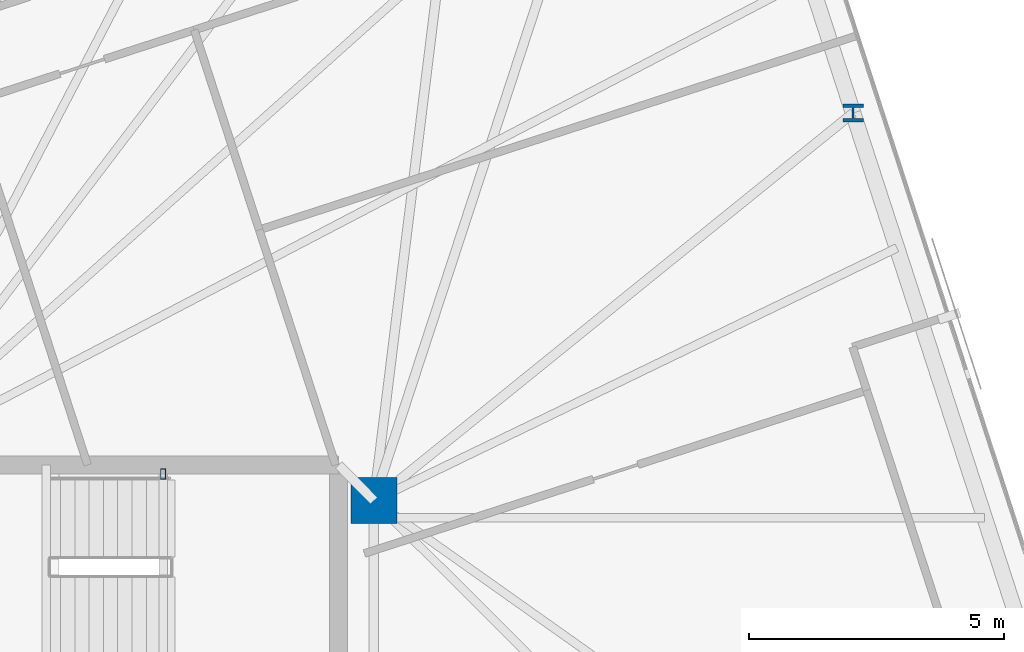
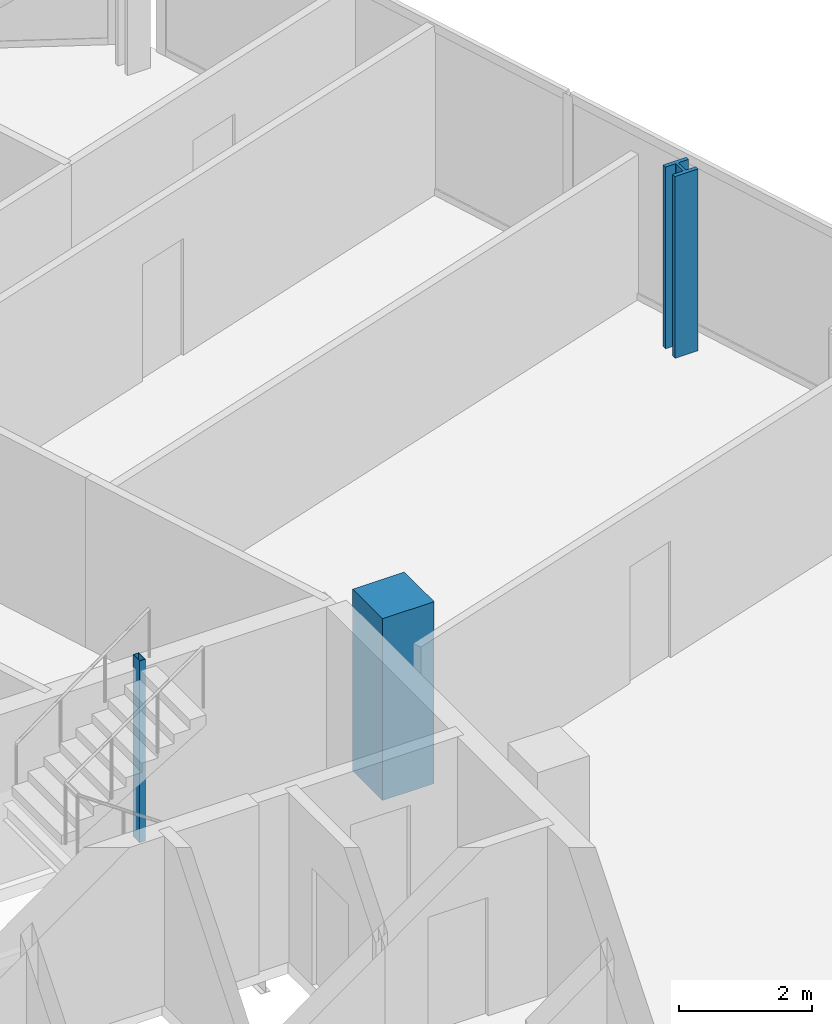
# One storey, part 3 of 20: 3 columns.
"""IFC4 building model written with IfcOpenShell, lengths in metres."""

from ifc_helpers import new_model, si_unit, direction, frame, origin, origin_2d, place, context, subcontext, project, spatial, rectangle, hollow_rectangle, i_section, extrude, material, material_profile, profile_set, type_object, element, save


model = new_model("IFC4")

# Units and contexts
model_context = context("Model", 3, precision=1e-05, world=origin(), true_north=direction((0.0, 1.0)))
body_context = subcontext(model_context, "Body", "Model", "MODEL_VIEW")
ifc_project = project(units=[si_unit("LENGTHUNIT", "METRE"), si_unit("AREAUNIT", "SQUARE_METRE"), si_unit("VOLUMEUNIT", "CUBIC_METRE"), si_unit("PLANEANGLEUNIT", "RADIAN"), si_unit("MASSUNIT", "GRAM", prefix="KILO")], contexts=[model_context])

# Site, building, storey
site_placement = place(None, origin())
site = spatial("IfcSite", under=ifc_project, at=site_placement, CompositionType="ELEMENT")
building_placement = place(site_placement, origin())
building = spatial("IfcBuilding", under=site, at=building_placement, Name="Menara Jurai Vektor", CompositionType="ELEMENT")
storey_placement = place(building_placement, frame((0.0, 0.0, 237.699951171875)))
storey = spatial("IfcBuildingStorey", under=building, at=storey_placement, Name="L63", CompositionType="ELEMENT", Elevation=237.699951171875)

# Columns
ifc_material_1 = material(Name="Concrete C50/60", Category="concrete")
ifc_material_profile_1 = material_profile(ifc_material_1, rectangle(XDim=0.89990234375, YDim=0.89990234375, at=origin_2d()), Name="RC 900x900")
ifc_profile_set_1 = profile_set([ifc_material_profile_1], Name="Concrete C50/60")
column_type_1 = type_object("IfcColumnType", Name="STR-COL-RC900", PredefinedType="COLUMN", material=ifc_profile_set_1)
column_1_placement = place(storey_placement, frame((15.25, 4.89990234375, 0.0), z_axis=(0.0, 0.0, 1.0), x_axis=(1.0, 0.0, 0.0)))
element("IfcColumn", 1, at=column_1_placement, inside=storey, type_object=column_type_1, Name="Core Spine Column CE-NE L63", PredefinedType="COLUMN", context=body_context, shape_type="SweptSolid", body=[
    extrude(rectangle(XDim=0.89990234375, YDim=0.89990234375, at=origin_2d()), origin(), (0.0, 0.0, 1.0), 3.35009765625),
])
ifc_material_2 = material(Name="Steel S355", Category="steel")
ifc_material_profile_2 = material_profile(ifc_material_2, hollow_rectangle(XDim=0.10009765625, YDim=0.199951171875, WallThickness=0.008056640625, at=origin_2d()), Name="RHS 200x100x8")
ifc_profile_set_2 = profile_set([ifc_material_profile_2], Name="Steel S355")
column_type_2 = type_object("IfcColumnType", Name="STR-COL-STAIR", PredefinedType="COLUMN", material=ifc_profile_set_2)
column_2_placement = place(storey_placement, frame((11.1201171875, 5.419921875, 0.0), z_axis=(0.0, 0.0, 1.0), x_axis=(1.0, 0.0, 0.0)))
element("IfcColumn", 2, at=column_2_placement, inside=storey, type_object=column_type_2, Name="Stair Well Header Column ST2-P2 L63", PredefinedType="COLUMN", context=body_context, shape_type="SweptSolid", body=[
    extrude(hollow_rectangle(XDim=0.10009765625, YDim=0.199951171875, WallThickness=0.008056640625, at=origin_2d()), origin(), (0.0, 0.0, 1.0), 3.35009765625),
])
ifc_material_3 = material(Name="Steel S460", Category="steel")
ifc_material_profile_3 = material_profile(ifc_material_3, i_section(OverallWidth=0.405029296875, OverallDepth=0.35498046875, WebThickness=0.0419921875, FlangeThickness=0.068115234375, FilletRadius=0.014892578125, at=origin_2d()), Name="HD 400x551")
ifc_profile_set_3 = profile_set([ifc_material_profile_3], Name="Steel S460")
column_type_3 = type_object("IfcColumnType", Name="STR-EXO-BLK4", PredefinedType="COLUMN", material=ifc_profile_set_3)
column_3_placement = place(storey_placement, frame((24.641845703125, 12.496826171875, 0.0), z_axis=(0.0, 0.0, 1.0), x_axis=(1.0, 0.0, 0.0)))
element("IfcColumn", 3, at=column_3_placement, inside=storey, type_object=column_type_3, Name="Exoskeleton Column BLK4-E3 L63", PredefinedType="COLUMN", context=body_context, shape_type="SweptSolid", body=[
    extrude(i_section(OverallWidth=0.405029296875, OverallDepth=0.35498046875, WebThickness=0.0419921875, FlangeThickness=0.068115234375, FilletRadius=0.014892578125, at=origin_2d()), origin(), (0.0, 0.0, 1.0), 3.35009765625),
])

save(model, "model.ifc")
